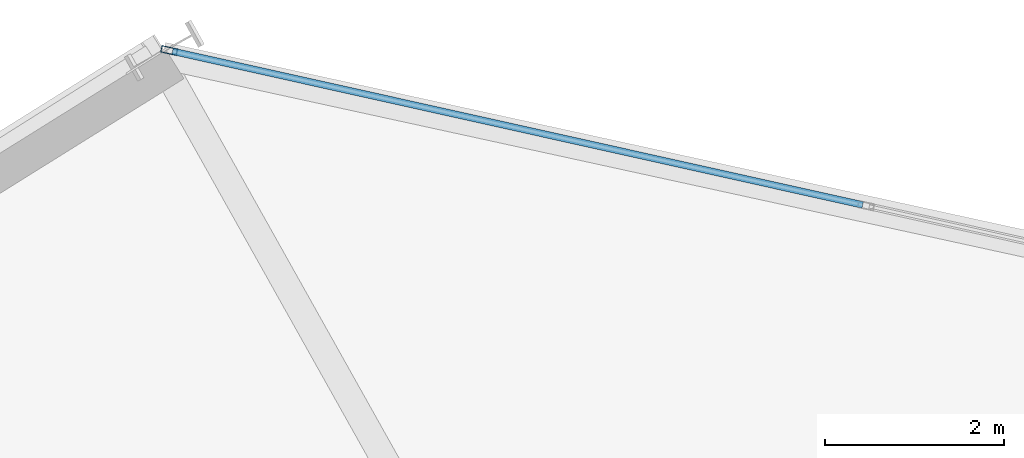
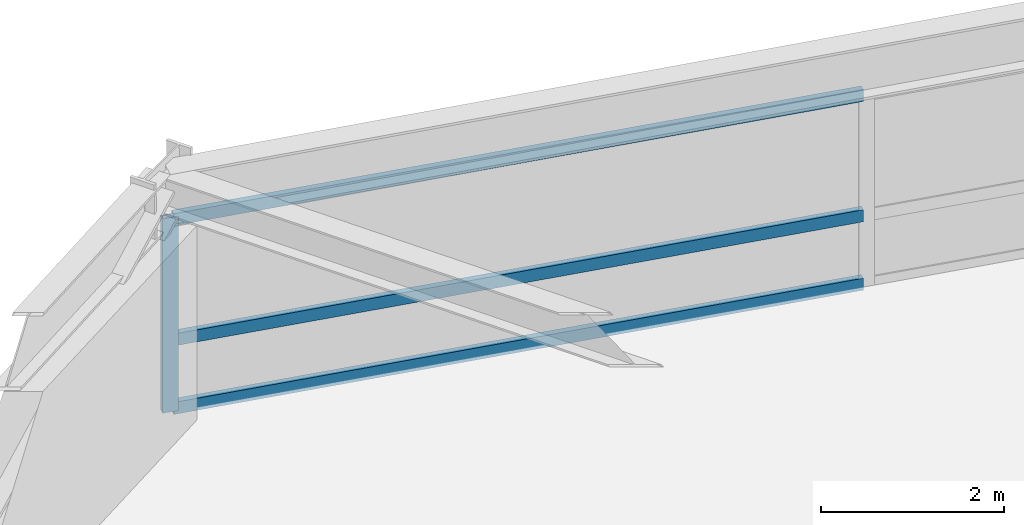
# One storey, part 10 of 24: 4 members, 1 element without a shape of its own.
"""IFC4 building model written with IfcOpenShell, lengths in metres."""

from ifc_helpers import new_model, si_unit, direction, frame, origin, origin_2d, place, context, subcontext, project, spatial, hollow_rectangle, extrude, source, transform, mapped, material, material_profile, profile_set, type_object, element, aggregate, save


model = new_model("IFC4")

# Units and contexts
model_context = context("Model", 3, precision=1e-05, world=origin(), true_north=direction((0.0, 1.0)))
body_context = subcontext(model_context, "Body", "Model", "MODEL_VIEW")
ifc_project = project(units=[si_unit("LENGTHUNIT", "METRE"), si_unit("AREAUNIT", "SQUARE_METRE"), si_unit("VOLUMEUNIT", "CUBIC_METRE"), si_unit("PLANEANGLEUNIT", "RADIAN"), si_unit("MASSUNIT", "GRAM", prefix="KILO")], contexts=[model_context])

# Site, building, storey
site_placement = place(None, origin())
site = spatial("IfcSite", under=ifc_project, at=site_placement, CompositionType="ELEMENT")
building_placement = place(site_placement, origin())
building = spatial("IfcBuilding", under=site, at=building_placement, Name="Olszyna Solenne Hotel", CompositionType="ELEMENT")
storey_placement = place(building_placement, frame((0.0, 0.0, 36.39990234375)))
storey = spatial("IfcBuildingStorey", under=building, at=storey_placement, Name="L08", CompositionType="ELEMENT", Elevation=36.39990234375)

# Curtain wall, members
ifc_material = material(Name="Anodised bronze aluminium", Category="aluminium")
curtain_wall_type = type_object("IfcCurtainWallType", Name="CW-SYS-2", PredefinedType="NOTDEFINED", material=ifc_material)
curtain_wall_placement = place(storey_placement, origin())
curtain_wall = element("IfcCurtainWall", 1, at=curtain_wall_placement, inside=storey, type_object=curtain_wall_type, Name="Unitised curtain wall CW-SYS-2 CW-L08-02", PredefinedType="NOTDEFINED")
ifc_material_profile_1 = material_profile(ifc_material, hollow_rectangle(XDim=0.074951171875, YDim=0.179931640625, WallThickness=0.00439453125, at=origin_2d()), Name="MULL 180x75x4.5", Category="load-bearing")
ifc_profile_set_1 = profile_set([ifc_material_profile_1], Name="Anodised bronze aluminium")
member_type_1 = type_object("IfcMemberType", Name="CW-M2", PredefinedType="MULLION", material=ifc_profile_set_1)
shared_shape_1 = source(origin(), body_context, "Body", "SweptSolid", [
    extrude(hollow_rectangle(XDim=0.074951171875, YDim=0.179931640625, WallThickness=0.00439453125, at=origin_2d()), origin(), (0.0, 0.0, 1.0), 2.592041015625),
])
member_1_placement = place(storey_placement, frame((26.062744140625, 48.1806640625, 0.0), z_axis=(0.0, 0.0, 1.0), x_axis=(0.217365299555, 0.976090327044, 0.0)))
member_1 = element("IfcMember", 2, at=member_1_placement, type_object=member_type_1, Name="Curtain-wall mullion CW-M2 CM-L08-02-01", PredefinedType="MULLION", context=body_context, shape_type="MappedRepresentation", body=[
    mapped(shared_shape_1, transform((0.0, 0.0, 0.0), x_axis=(1.0, 0.0, 0.0), y_axis=(0.0, 1.0, 0.0), z_axis=(0.0, 0.0, 1.0), scale=1.0)),
])
ifc_material_profile_2 = material_profile(ifc_material, hollow_rectangle(XDim=0.074951171875, YDim=0.159912109375, WallThickness=0.00390625, at=origin_2d()), Name="TRAN 160x75x4", Category="load-bearing")
ifc_profile_set_2 = profile_set([ifc_material_profile_2], Name="Anodised bronze aluminium")
member_type_2 = type_object("IfcMemberType", Name="CW-T1", PredefinedType="USERDEFINED", material=ifc_profile_set_2)
shared_shape_2 = source(origin(), body_context, "Body", "SweptSolid", [
    extrude(hollow_rectangle(XDim=0.074951171875, YDim=0.159912109375, WallThickness=0.00390625, at=origin_2d()), origin(), (0.0, 0.0, 1.0), 7.898193359375),
])
member_2_placement = place(storey_placement, frame((26.099365234375, 48.172607421875, 0.03759765625), z_axis=(0.976089499814, -0.217369014241, 0.0), x_axis=(0.217369014241, 0.976089499814, 0.0)))
member_2 = element("IfcMember", 3, at=member_2_placement, type_object=member_type_2, Name="Curtain-wall transom CW-T1 CT-L08-02-01", ObjectType="TRANSOM", PredefinedType="USERDEFINED", context=body_context, shape_type="MappedRepresentation", body=[
    mapped(shared_shape_2, transform((0.0, 0.0, 0.0), x_axis=(1.0, 0.0, 0.0), y_axis=(0.0, 1.0, 0.0), z_axis=(0.0, 0.0, 1.0), scale=1.0)),
])
member_3_placement = place(storey_placement, frame((26.099365234375, 48.172607421875, 0.9501953125), z_axis=(0.976089499814, -0.217369014241, 0.0), x_axis=(0.217369014241, 0.976089499814, 0.0)))
member_3 = element("IfcMember", 4, at=member_3_placement, type_object=member_type_2, Name="Curtain-wall transom CW-T1 CT-L08-02-02", ObjectType="TRANSOM", PredefinedType="USERDEFINED", context=body_context, shape_type="MappedRepresentation", body=[
    mapped(shared_shape_2, transform((0.0, 0.0, 0.0), x_axis=(1.0, 0.0, 0.0), y_axis=(0.0, 1.0, 0.0), z_axis=(0.0, 0.0, 1.0), scale=1.0)),
])
member_4_placement = place(storey_placement, frame((26.099365234375, 48.172607421875, 2.5546875), z_axis=(0.976089499814, -0.217369014241, 0.0), x_axis=(0.217369014241, 0.976089499814, 0.0)))
member_4 = element("IfcMember", 5, at=member_4_placement, type_object=member_type_2, Name="Curtain-wall transom CW-T1 CT-L08-02-03", ObjectType="TRANSOM", PredefinedType="USERDEFINED", context=body_context, shape_type="MappedRepresentation", body=[
    mapped(shared_shape_2, transform((0.0, 0.0, 0.0), x_axis=(1.0, 0.0, 0.0), y_axis=(0.0, 1.0, 0.0), z_axis=(0.0, 0.0, 1.0), scale=1.0)),
])
aggregate(curtain_wall, [member_1, member_2, member_3, member_4])

save(model, "model.ifc")
